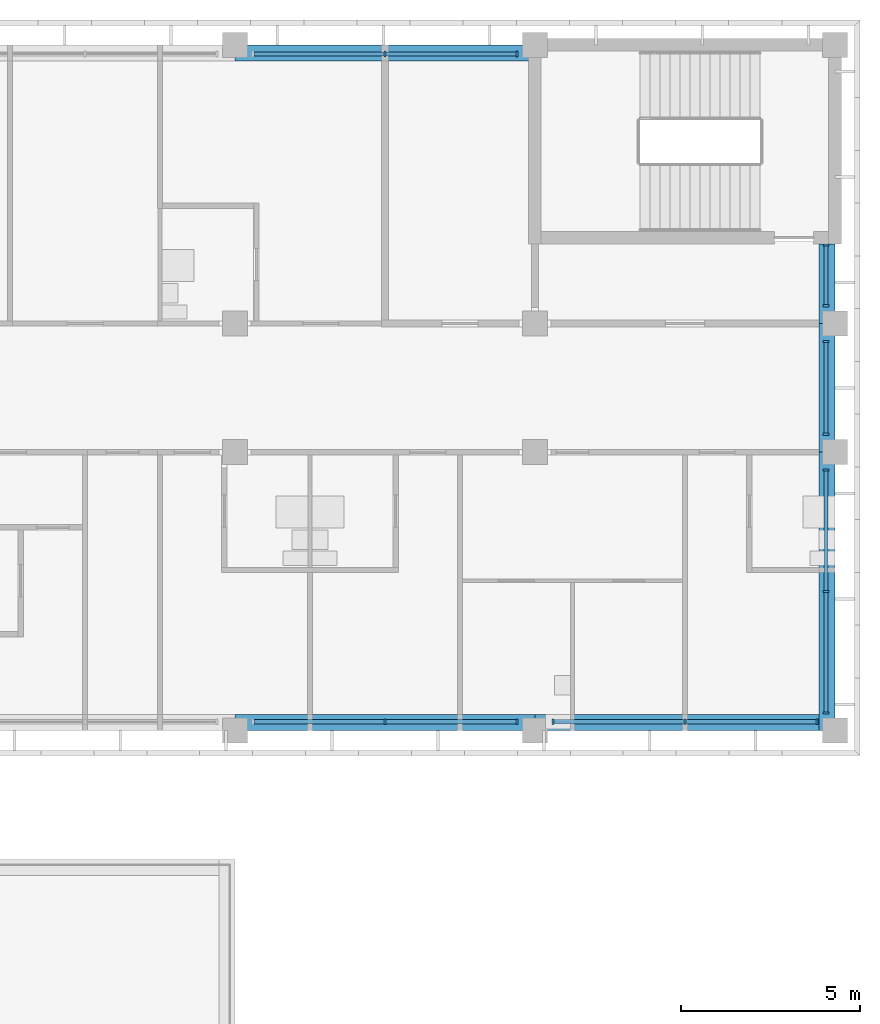
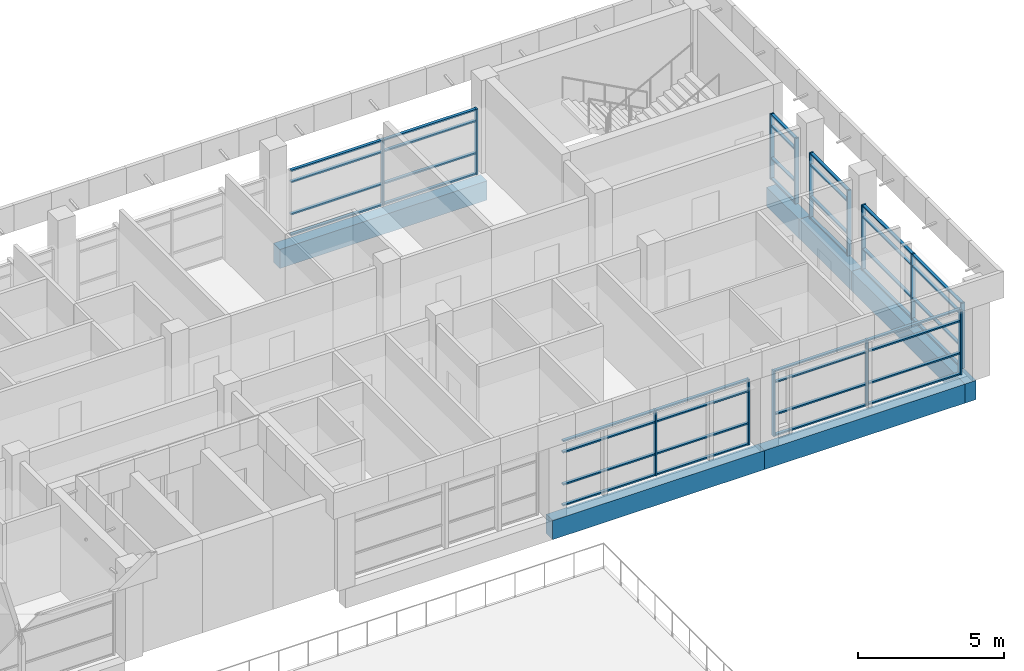
# One storey, part 13 of 46: 54 members, 6 beams, 6 elements without a shape of their own.
"""IFC4 building model written with IfcOpenShell, lengths in metres."""

from ifc_helpers import new_model, si_unit, direction, frame, origin, origin_2d, place, context, subcontext, project, spatial, rectangle, extrude, material, material_profile, profile_set, type_object, element, aggregate, save


model = new_model("IFC4")

# Units and contexts
model_context = context("Model", 3, precision=1e-05, world=origin(), true_north=direction((0.0, 1.0)))
body_context = subcontext(model_context, "Body", "Model", "MODEL_VIEW")
ifc_project = project(units=[si_unit("LENGTHUNIT", "METRE"), si_unit("AREAUNIT", "SQUARE_METRE"), si_unit("VOLUMEUNIT", "CUBIC_METRE"), si_unit("PLANEANGLEUNIT", "RADIAN"), si_unit("MASSUNIT", "GRAM", prefix="KILO")], contexts=[model_context])

# Site, building, storey
site_placement = place(None, origin())
site = spatial("IfcSite", under=ifc_project, at=site_placement, CompositionType="ELEMENT")
building_placement = place(site_placement, origin())
building = spatial("IfcBuilding", under=site, at=building_placement, Name="Bougainvillea Quay General Hospital", CompositionType="ELEMENT")
storey_placement = place(building_placement, frame((0.0, 0.0, 28.800048828125)))
storey = spatial("IfcBuildingStorey", under=building, at=storey_placement, Name="L06", CompositionType="ELEMENT", Elevation=28.800048828125)

# Curtain wall, members
ifc_material_1 = material(Name="Aluminium curtain wall system, powder-coated glazed", Category="aluminium")
curtain_wall_type_1 = type_object("IfcCurtainWallType", Name="Unitised curtain wall CW-3730", PredefinedType="NOTDEFINED", material=ifc_material_1)
curtain_wall_1_placement = place(storey_placement, origin())
curtain_wall_1 = element("IfcCurtainWall", 1, at=curtain_wall_1_placement, inside=storey, type_object=curtain_wall_type_1, Name="CW-4200 00", PredefinedType="NOTDEFINED")
ifc_material_2 = material(Name="Aluminium mullion, powder-coated charcoal", Category="aluminium")
ifc_material_profile_1 = material_profile(ifc_material_2, rectangle(XDim=0.159912109375, YDim=0.06005859375, at=origin_2d()))
ifc_profile_set_1 = profile_set([ifc_material_profile_1], Name="Aluminium mullion, powder-coated charcoal")
member_type_1 = type_object("IfcMemberType", Name="Curtain wall mullion 160x60", PredefinedType="MULLION", material=ifc_profile_set_1)
member_1_placement = place(storey_placement, frame((175.89990234375, 159.35009765625, 0.0), z_axis=(0.0, 0.0, 1.0), x_axis=(0.0, -1.0, 0.0)))
member_1 = element("IfcMember", 2, at=member_1_placement, type_object=member_type_1, Name="CW-4200 mullion 1", PredefinedType="MULLION", context=body_context, shape_type="SweptSolid", body=[
    extrude(rectangle(XDim=0.159912109375, YDim=0.06005859375, at=origin_2d()), origin(), (0.0, 0.0, 1.0), 2.75),
])
member_2_placement = place(storey_placement, frame((172.199951171875, 159.35009765625, 0.0), z_axis=(0.0, 0.0, 1.0), x_axis=(0.0, -1.0, 0.0)))
member_2 = element("IfcMember", 3, at=member_2_placement, type_object=member_type_1, Name="CW-4200 mullion 2", PredefinedType="MULLION", context=body_context, shape_type="SweptSolid", body=[
    extrude(rectangle(XDim=0.159912109375, YDim=0.06005859375, at=origin_2d()), origin(), (0.0, 0.0, 1.0), 2.75),
])

curtain_wall_2_placement = place(storey_placement, origin())
curtain_wall_2 = element("IfcCurtainWall", 4, at=curtain_wall_2_placement, inside=storey, type_object=curtain_wall_type_1, Name="CW-4200 01", PredefinedType="NOTDEFINED")
member_3_placement = place(storey_placement, frame((172.199951171875, 140.64990234375, 0.0), z_axis=(0.0, 0.0, 1.0), x_axis=(0.0, 1.0, 0.0)))
member_3 = element("IfcMember", 5, at=member_3_placement, type_object=member_type_1, Name="CW-4200 mullion 2", PredefinedType="MULLION", context=body_context, shape_type="SweptSolid", body=[
    extrude(rectangle(XDim=0.159912109375, YDim=0.06005859375, at=origin_2d()), origin(), (0.0, 0.0, 1.0), 2.75),
])
member_4_placement = place(storey_placement, frame((175.89990234375, 140.64990234375, 0.0), z_axis=(0.0, 0.0, 1.0), x_axis=(0.0, 1.0, 0.0)))
member_4 = element("IfcMember", 6, at=member_4_placement, type_object=member_type_1, Name="CW-4200 mullion 3", PredefinedType="MULLION", context=body_context, shape_type="SweptSolid", body=[
    extrude(rectangle(XDim=0.159912109375, YDim=0.06005859375, at=origin_2d()), origin(), (0.0, 0.0, 1.0), 2.75),
])

curtain_wall_3_placement = place(storey_placement, origin())
curtain_wall_3 = element("IfcCurtainWall", 7, at=curtain_wall_3_placement, inside=storey, type_object=curtain_wall_type_1, Name="CW-4200 02", PredefinedType="NOTDEFINED")
member_5_placement = place(storey_placement, frame((176.89990234375, 140.64990234375, 0.0), z_axis=(0.0, 0.0, 1.0), x_axis=(0.0, 1.0, 0.0)))
member_5 = element("IfcMember", 8, at=member_5_placement, type_object=member_type_1, Name="CW-4200 mullion 1", PredefinedType="MULLION", context=body_context, shape_type="SweptSolid", body=[
    extrude(rectangle(XDim=0.159912109375, YDim=0.06005859375, at=origin_2d()), origin(), (0.0, 0.0, 1.0), 2.75),
])
member_6_placement = place(storey_placement, frame((180.60009765625, 140.64990234375, 0.0), z_axis=(0.0, 0.0, 1.0), x_axis=(0.0, 1.0, 0.0)))
member_6 = element("IfcMember", 9, at=member_6_placement, type_object=member_type_1, Name="CW-4200 mullion 2", PredefinedType="MULLION", context=body_context, shape_type="SweptSolid", body=[
    extrude(rectangle(XDim=0.159912109375, YDim=0.06005859375, at=origin_2d()), origin(), (0.0, 0.0, 1.0), 2.75),
])
member_7_placement = place(storey_placement, frame((184.300048828125, 140.64990234375, 0.0), z_axis=(0.0, 0.0, 1.0), x_axis=(0.0, 1.0, 0.0)))
member_7 = element("IfcMember", 10, at=member_7_placement, type_object=member_type_1, Name="CW-4200 mullion 3", PredefinedType="MULLION", context=body_context, shape_type="SweptSolid", body=[
    extrude(rectangle(XDim=0.159912109375, YDim=0.06005859375, at=origin_2d()), origin(), (0.0, 0.0, 1.0), 2.75),
])

curtain_wall_type_2 = type_object("IfcCurtainWallType", Name="Unitised curtain wall CW-3430", PredefinedType="NOTDEFINED", material=ifc_material_1)
curtain_wall_4_placement = place(storey_placement, origin())
curtain_wall_4 = element("IfcCurtainWall", 11, at=curtain_wall_4_placement, inside=storey, type_object=curtain_wall_type_2, Name="CW-4200 00", PredefinedType="NOTDEFINED")
member_8_placement = place(storey_placement, frame((184.550048828125, 140.89990234375, 0.0), z_axis=(0.0, 0.0, 1.0), x_axis=(-1.0, 0.0, 0.0)))
member_8 = element("IfcMember", 12, at=member_8_placement, type_object=member_type_1, Name="CW-4200 mullion 1", PredefinedType="MULLION", context=body_context, shape_type="SweptSolid", body=[
    extrude(rectangle(XDim=0.159912109375, YDim=0.06005859375, at=origin_2d()), origin(), (0.0, 0.0, 1.0), 2.75),
])
member_9_placement = place(storey_placement, frame((184.550048828125, 144.300048828125, 0.0), z_axis=(0.0, 0.0, 1.0), x_axis=(-1.0, 0.0, 0.0)))
member_9 = element("IfcMember", 13, at=member_9_placement, type_object=member_type_1, Name="CW-4200 mullion 2", PredefinedType="MULLION", context=body_context, shape_type="SweptSolid", body=[
    extrude(rectangle(XDim=0.159912109375, YDim=0.06005859375, at=origin_2d()), origin(), (0.0, 0.0, 1.0), 2.75),
])
member_10_placement = place(storey_placement, frame((184.550048828125, 147.699951171875, 0.0), z_axis=(0.0, 0.0, 1.0), x_axis=(-1.0, 0.0, 0.0)))
member_10 = element("IfcMember", 14, at=member_10_placement, type_object=member_type_1, Name="CW-4200 mullion 3", PredefinedType="MULLION", context=body_context, shape_type="SweptSolid", body=[
    extrude(rectangle(XDim=0.159912109375, YDim=0.06005859375, at=origin_2d()), origin(), (0.0, 0.0, 1.0), 2.75),
])

curtain_wall_type_3 = type_object("IfcCurtainWallType", Name="Unitised curtain wall CW-2660", PredefinedType="NOTDEFINED", material=ifc_material_1)
curtain_wall_5_placement = place(storey_placement, origin())
curtain_wall_5 = element("IfcCurtainWall", 15, at=curtain_wall_5_placement, inside=storey, type_object=curtain_wall_type_3, Name="CW-4200 01", PredefinedType="NOTDEFINED")
member_11_placement = place(storey_placement, frame((184.550048828125, 148.699951171875, 0.0), z_axis=(0.0, 0.0, 1.0), x_axis=(-1.0, 0.0, 0.0)))
member_11 = element("IfcMember", 16, at=member_11_placement, type_object=member_type_1, Name="CW-4200 mullion 1", PredefinedType="MULLION", context=body_context, shape_type="SweptSolid", body=[
    extrude(rectangle(XDim=0.159912109375, YDim=0.06005859375, at=origin_2d()), origin(), (0.0, 0.0, 1.0), 2.75),
])
member_12_placement = place(storey_placement, frame((184.550048828125, 151.300048828125, 0.0), z_axis=(0.0, 0.0, 1.0), x_axis=(-1.0, 0.0, 0.0)))
member_12 = element("IfcMember", 17, at=member_12_placement, type_object=member_type_1, Name="CW-4200 mullion 2", PredefinedType="MULLION", context=body_context, shape_type="SweptSolid", body=[
    extrude(rectangle(XDim=0.159912109375, YDim=0.06005859375, at=origin_2d()), origin(), (0.0, 0.0, 1.0), 2.75),
])

curtain_wall_type_4 = type_object("IfcCurtainWallType", Name="Unitised curtain wall CW-1755", PredefinedType="NOTDEFINED", material=ifc_material_1)
curtain_wall_6_placement = place(storey_placement, origin())
curtain_wall_6 = element("IfcCurtainWall", 18, at=curtain_wall_6_placement, inside=storey, type_object=curtain_wall_type_4, Name="CW-4200 02", PredefinedType="NOTDEFINED")
member_13_placement = place(storey_placement, frame((184.550048828125, 152.300048828125, 0.0), z_axis=(0.0, 0.0, 1.0), x_axis=(-1.0, 0.0, 0.0)))
member_13 = element("IfcMember", 19, at=member_13_placement, type_object=member_type_1, Name="CW-4200 mullion 1", PredefinedType="MULLION", context=body_context, shape_type="SweptSolid", body=[
    extrude(rectangle(XDim=0.159912109375, YDim=0.06005859375, at=origin_2d()), origin(), (0.0, 0.0, 1.0), 2.75),
])
member_14_placement = place(storey_placement, frame((184.550048828125, 153.9951171875, 0.0), z_axis=(0.0, 0.0, 1.0), x_axis=(-1.0, 0.0, 0.0)))
member_14 = element("IfcMember", 20, at=member_14_placement, type_object=member_type_1, Name="CW-4200 mullion 2", PredefinedType="MULLION", context=body_context, shape_type="SweptSolid", body=[
    extrude(rectangle(XDim=0.159912109375, YDim=0.06005859375, at=origin_2d()), origin(), (0.0, 0.0, 1.0), 2.75),
])

# Member
ifc_material_3 = material(Name="Aluminium transom, powder-coated charcoal", Category="aluminium")
ifc_material_profile_2 = material_profile(ifc_material_3, rectangle(XDim=0.1201171875, YDim=0.06005859375, at=origin_2d()))
ifc_profile_set_2 = profile_set([ifc_material_profile_2], Name="Aluminium transom, powder-coated charcoal")
member_type_2 = type_object("IfcMemberType", Name="Curtain wall transom 120x60", PredefinedType="USERDEFINED", material=ifc_profile_set_2)
member_15_placement = place(storey_placement, frame((175.8701171875, 159.35009765625, 0.030029296875), z_axis=(-1.0, 0.0, 0.0), x_axis=(0.0, -1.0, 0.0)))
member_15 = element("IfcMember", 21, at=member_15_placement, type_object=member_type_2, Name="CW-4200 transom 1.1", ObjectType="TRANSOM", PredefinedType="USERDEFINED", context=body_context, shape_type="SweptSolid", body=[
    extrude(rectangle(XDim=0.1201171875, YDim=0.06005859375, at=origin_2d()), origin(), (0.0, 0.0, 1.0), 3.64013671875),
])

member_16_placement = place(storey_placement, frame((175.8701171875, 159.35009765625, 0.89990234375), z_axis=(-1.0, 0.0, 0.0), x_axis=(0.0, -1.0, 0.0)))
member_16 = element("IfcMember", 22, at=member_16_placement, type_object=member_type_2, Name="CW-4200 transom 1.2", ObjectType="TRANSOM", PredefinedType="USERDEFINED", context=body_context, shape_type="SweptSolid", body=[
    extrude(rectangle(XDim=0.1201171875, YDim=0.06005859375, at=origin_2d()), origin(), (0.0, 0.0, 1.0), 3.64013671875),
])

member_17_placement = place(storey_placement, frame((175.8701171875, 159.35009765625, 2.25), z_axis=(-1.0, 0.0, 0.0), x_axis=(0.0, -1.0, 0.0)))
member_17 = element("IfcMember", 23, at=member_17_placement, type_object=member_type_2, Name="CW-4200 transom 1.3", ObjectType="TRANSOM", PredefinedType="USERDEFINED", context=body_context, shape_type="SweptSolid", body=[
    extrude(rectangle(XDim=0.1201171875, YDim=0.06005859375, at=origin_2d()), origin(), (0.0, 0.0, 1.0), 3.64013671875),
])

member_18_placement = place(storey_placement, frame((175.8701171875, 159.35009765625, 2.719970703125), z_axis=(-1.0, 0.0, 0.0), x_axis=(0.0, -1.0, 0.0)))
member_18 = element("IfcMember", 24, at=member_18_placement, type_object=member_type_2, Name="CW-4200 transom 1.4", ObjectType="TRANSOM", PredefinedType="USERDEFINED", context=body_context, shape_type="SweptSolid", body=[
    extrude(rectangle(XDim=0.1201171875, YDim=0.06005859375, at=origin_2d()), origin(), (0.0, 0.0, 1.0), 3.64013671875),
])

member_19_placement = place(storey_placement, frame((172.169921875, 159.35009765625, 0.030029296875), z_axis=(-1.0, 0.0, 0.0), x_axis=(0.0, -1.0, 0.0)))
member_19 = element("IfcMember", 25, at=member_19_placement, type_object=member_type_2, Name="CW-4200 transom 2.1", ObjectType="TRANSOM", PredefinedType="USERDEFINED", context=body_context, shape_type="SweptSolid", body=[
    extrude(rectangle(XDim=0.1201171875, YDim=0.06005859375, at=origin_2d()), origin(), (0.0, 0.0, 1.0), 3.639892578125),
])

member_20_placement = place(storey_placement, frame((172.169921875, 159.35009765625, 0.89990234375), z_axis=(-1.0, 0.0, 0.0), x_axis=(0.0, -1.0, 0.0)))
member_20 = element("IfcMember", 26, at=member_20_placement, type_object=member_type_2, Name="CW-4200 transom 2.2", ObjectType="TRANSOM", PredefinedType="USERDEFINED", context=body_context, shape_type="SweptSolid", body=[
    extrude(rectangle(XDim=0.1201171875, YDim=0.06005859375, at=origin_2d()), origin(), (0.0, 0.0, 1.0), 3.639892578125),
])

member_21_placement = place(storey_placement, frame((172.169921875, 159.35009765625, 2.25), z_axis=(-1.0, 0.0, 0.0), x_axis=(0.0, -1.0, 0.0)))
member_21 = element("IfcMember", 27, at=member_21_placement, type_object=member_type_2, Name="CW-4200 transom 2.3", ObjectType="TRANSOM", PredefinedType="USERDEFINED", context=body_context, shape_type="SweptSolid", body=[
    extrude(rectangle(XDim=0.1201171875, YDim=0.06005859375, at=origin_2d()), origin(), (0.0, 0.0, 1.0), 3.639892578125),
])

member_22_placement = place(storey_placement, frame((172.169921875, 159.35009765625, 2.719970703125), z_axis=(-1.0, 0.0, 0.0), x_axis=(0.0, -1.0, 0.0)))
member_22 = element("IfcMember", 28, at=member_22_placement, type_object=member_type_2, Name="CW-4200 transom 2.4", ObjectType="TRANSOM", PredefinedType="USERDEFINED", context=body_context, shape_type="SweptSolid", body=[
    extrude(rectangle(XDim=0.1201171875, YDim=0.06005859375, at=origin_2d()), origin(), (0.0, 0.0, 1.0), 3.639892578125),
])

aggregate(curtain_wall_1, [member_1, member_2, member_15, member_16, member_17, member_18, member_19, member_20, member_21, member_22])

member_23_placement = place(storey_placement, frame((168.530029296875, 140.64990234375, 0.030029296875), z_axis=(1.0, 0.0, 0.0), x_axis=(0.0, 1.0, 0.0)))
member_23 = element("IfcMember", 29, at=member_23_placement, type_object=member_type_2, Name="CW-4200 transom 1.1", ObjectType="TRANSOM", PredefinedType="USERDEFINED", context=body_context, shape_type="SweptSolid", body=[
    extrude(rectangle(XDim=0.1201171875, YDim=0.06005859375, at=origin_2d()), origin(), (0.0, 0.0, 1.0), 3.639892578125),
])

member_24_placement = place(storey_placement, frame((168.530029296875, 140.64990234375, 0.89990234375), z_axis=(1.0, 0.0, 0.0), x_axis=(0.0, 1.0, 0.0)))
member_24 = element("IfcMember", 30, at=member_24_placement, type_object=member_type_2, Name="CW-4200 transom 1.2", ObjectType="TRANSOM", PredefinedType="USERDEFINED", context=body_context, shape_type="SweptSolid", body=[
    extrude(rectangle(XDim=0.1201171875, YDim=0.06005859375, at=origin_2d()), origin(), (0.0, 0.0, 1.0), 3.639892578125),
])

member_25_placement = place(storey_placement, frame((168.530029296875, 140.64990234375, 2.25), z_axis=(1.0, 0.0, 0.0), x_axis=(0.0, 1.0, 0.0)))
member_25 = element("IfcMember", 31, at=member_25_placement, type_object=member_type_2, Name="CW-4200 transom 1.3", ObjectType="TRANSOM", PredefinedType="USERDEFINED", context=body_context, shape_type="SweptSolid", body=[
    extrude(rectangle(XDim=0.1201171875, YDim=0.06005859375, at=origin_2d()), origin(), (0.0, 0.0, 1.0), 3.639892578125),
])

member_26_placement = place(storey_placement, frame((168.530029296875, 140.64990234375, 2.719970703125), z_axis=(1.0, 0.0, 0.0), x_axis=(0.0, 1.0, 0.0)))
member_26 = element("IfcMember", 32, at=member_26_placement, type_object=member_type_2, Name="CW-4200 transom 1.4", ObjectType="TRANSOM", PredefinedType="USERDEFINED", context=body_context, shape_type="SweptSolid", body=[
    extrude(rectangle(XDim=0.1201171875, YDim=0.06005859375, at=origin_2d()), origin(), (0.0, 0.0, 1.0), 3.639892578125),
])

member_27_placement = place(storey_placement, frame((172.22998046875, 140.64990234375, 0.030029296875), z_axis=(1.0, 0.0, 0.0), x_axis=(0.0, 1.0, 0.0)))
member_27 = element("IfcMember", 33, at=member_27_placement, type_object=member_type_2, Name="CW-4200 transom 2.1", ObjectType="TRANSOM", PredefinedType="USERDEFINED", context=body_context, shape_type="SweptSolid", body=[
    extrude(rectangle(XDim=0.1201171875, YDim=0.06005859375, at=origin_2d()), origin(), (0.0, 0.0, 1.0), 3.64013671875),
])

member_28_placement = place(storey_placement, frame((172.22998046875, 140.64990234375, 0.89990234375), z_axis=(1.0, 0.0, 0.0), x_axis=(0.0, 1.0, 0.0)))
member_28 = element("IfcMember", 34, at=member_28_placement, type_object=member_type_2, Name="CW-4200 transom 2.2", ObjectType="TRANSOM", PredefinedType="USERDEFINED", context=body_context, shape_type="SweptSolid", body=[
    extrude(rectangle(XDim=0.1201171875, YDim=0.06005859375, at=origin_2d()), origin(), (0.0, 0.0, 1.0), 3.64013671875),
])

member_29_placement = place(storey_placement, frame((172.22998046875, 140.64990234375, 2.25), z_axis=(1.0, 0.0, 0.0), x_axis=(0.0, 1.0, 0.0)))
member_29 = element("IfcMember", 35, at=member_29_placement, type_object=member_type_2, Name="CW-4200 transom 2.3", ObjectType="TRANSOM", PredefinedType="USERDEFINED", context=body_context, shape_type="SweptSolid", body=[
    extrude(rectangle(XDim=0.1201171875, YDim=0.06005859375, at=origin_2d()), origin(), (0.0, 0.0, 1.0), 3.64013671875),
])

member_30_placement = place(storey_placement, frame((172.22998046875, 140.64990234375, 2.719970703125), z_axis=(1.0, 0.0, 0.0), x_axis=(0.0, 1.0, 0.0)))
member_30 = element("IfcMember", 36, at=member_30_placement, type_object=member_type_2, Name="CW-4200 transom 2.4", ObjectType="TRANSOM", PredefinedType="USERDEFINED", context=body_context, shape_type="SweptSolid", body=[
    extrude(rectangle(XDim=0.1201171875, YDim=0.06005859375, at=origin_2d()), origin(), (0.0, 0.0, 1.0), 3.64013671875),
])

aggregate(curtain_wall_2, [member_3, member_4, member_23, member_24, member_25, member_26, member_27, member_28, member_29, member_30])

member_31_placement = place(storey_placement, frame((176.929931640625, 140.64990234375, 0.030029296875), z_axis=(1.0, 0.0, 0.0), x_axis=(0.0, 1.0, 0.0)))
member_31 = element("IfcMember", 37, at=member_31_placement, type_object=member_type_2, Name="CW-4200 transom 1.1", ObjectType="TRANSOM", PredefinedType="USERDEFINED", context=body_context, shape_type="SweptSolid", body=[
    extrude(rectangle(XDim=0.1201171875, YDim=0.06005859375, at=origin_2d()), origin(), (0.0, 0.0, 1.0), 3.64013671875),
])

member_32_placement = place(storey_placement, frame((176.929931640625, 140.64990234375, 0.89990234375), z_axis=(1.0, 0.0, 0.0), x_axis=(0.0, 1.0, 0.0)))
member_32 = element("IfcMember", 38, at=member_32_placement, type_object=member_type_2, Name="CW-4200 transom 1.2", ObjectType="TRANSOM", PredefinedType="USERDEFINED", context=body_context, shape_type="SweptSolid", body=[
    extrude(rectangle(XDim=0.1201171875, YDim=0.06005859375, at=origin_2d()), origin(), (0.0, 0.0, 1.0), 3.64013671875),
])

member_33_placement = place(storey_placement, frame((176.929931640625, 140.64990234375, 2.25), z_axis=(1.0, 0.0, 0.0), x_axis=(0.0, 1.0, 0.0)))
member_33 = element("IfcMember", 39, at=member_33_placement, type_object=member_type_2, Name="CW-4200 transom 1.3", ObjectType="TRANSOM", PredefinedType="USERDEFINED", context=body_context, shape_type="SweptSolid", body=[
    extrude(rectangle(XDim=0.1201171875, YDim=0.06005859375, at=origin_2d()), origin(), (0.0, 0.0, 1.0), 3.64013671875),
])

member_34_placement = place(storey_placement, frame((176.929931640625, 140.64990234375, 2.719970703125), z_axis=(1.0, 0.0, 0.0), x_axis=(0.0, 1.0, 0.0)))
member_34 = element("IfcMember", 40, at=member_34_placement, type_object=member_type_2, Name="CW-4200 transom 1.4", ObjectType="TRANSOM", PredefinedType="USERDEFINED", context=body_context, shape_type="SweptSolid", body=[
    extrude(rectangle(XDim=0.1201171875, YDim=0.06005859375, at=origin_2d()), origin(), (0.0, 0.0, 1.0), 3.64013671875),
])

member_35_placement = place(storey_placement, frame((180.6298828125, 140.64990234375, 0.030029296875), z_axis=(1.0, 0.0, 0.0), x_axis=(0.0, 1.0, 0.0)))
member_35 = element("IfcMember", 41, at=member_35_placement, type_object=member_type_2, Name="CW-4200 transom 2.1", ObjectType="TRANSOM", PredefinedType="USERDEFINED", context=body_context, shape_type="SweptSolid", body=[
    extrude(rectangle(XDim=0.1201171875, YDim=0.06005859375, at=origin_2d()), origin(), (0.0, 0.0, 1.0), 3.64013671875),
])

member_36_placement = place(storey_placement, frame((180.6298828125, 140.64990234375, 0.89990234375), z_axis=(1.0, 0.0, 0.0), x_axis=(0.0, 1.0, 0.0)))
member_36 = element("IfcMember", 42, at=member_36_placement, type_object=member_type_2, Name="CW-4200 transom 2.2", ObjectType="TRANSOM", PredefinedType="USERDEFINED", context=body_context, shape_type="SweptSolid", body=[
    extrude(rectangle(XDim=0.1201171875, YDim=0.06005859375, at=origin_2d()), origin(), (0.0, 0.0, 1.0), 3.64013671875),
])

member_37_placement = place(storey_placement, frame((180.6298828125, 140.64990234375, 2.25), z_axis=(1.0, 0.0, 0.0), x_axis=(0.0, 1.0, 0.0)))
member_37 = element("IfcMember", 43, at=member_37_placement, type_object=member_type_2, Name="CW-4200 transom 2.3", ObjectType="TRANSOM", PredefinedType="USERDEFINED", context=body_context, shape_type="SweptSolid", body=[
    extrude(rectangle(XDim=0.1201171875, YDim=0.06005859375, at=origin_2d()), origin(), (0.0, 0.0, 1.0), 3.64013671875),
])

member_38_placement = place(storey_placement, frame((180.6298828125, 140.64990234375, 2.719970703125), z_axis=(1.0, 0.0, 0.0), x_axis=(0.0, 1.0, 0.0)))
member_38 = element("IfcMember", 44, at=member_38_placement, type_object=member_type_2, Name="CW-4200 transom 2.4", ObjectType="TRANSOM", PredefinedType="USERDEFINED", context=body_context, shape_type="SweptSolid", body=[
    extrude(rectangle(XDim=0.1201171875, YDim=0.06005859375, at=origin_2d()), origin(), (0.0, 0.0, 1.0), 3.64013671875),
])

aggregate(curtain_wall_3, [member_5, member_6, member_7, member_31, member_32, member_33, member_34, member_35, member_36, member_37, member_38])

member_39_placement = place(storey_placement, frame((184.550048828125, 140.929931640625, 0.030029296875), z_axis=(0.0, 1.0, 0.0), x_axis=(-1.0, 0.0, 0.0)))
member_39 = element("IfcMember", 45, at=member_39_placement, type_object=member_type_2, Name="CW-4200 transom 1.1", ObjectType="TRANSOM", PredefinedType="USERDEFINED", context=body_context, shape_type="SweptSolid", body=[
    extrude(rectangle(XDim=0.1201171875, YDim=0.06005859375, at=origin_2d()), origin(), (0.0, 0.0, 1.0), 3.340087890625),
])

member_40_placement = place(storey_placement, frame((184.550048828125, 140.929931640625, 0.89990234375), z_axis=(0.0, 1.0, 0.0), x_axis=(-1.0, 0.0, 0.0)))
member_40 = element("IfcMember", 46, at=member_40_placement, type_object=member_type_2, Name="CW-4200 transom 1.2", ObjectType="TRANSOM", PredefinedType="USERDEFINED", context=body_context, shape_type="SweptSolid", body=[
    extrude(rectangle(XDim=0.1201171875, YDim=0.06005859375, at=origin_2d()), origin(), (0.0, 0.0, 1.0), 3.340087890625),
])

member_41_placement = place(storey_placement, frame((184.550048828125, 140.929931640625, 2.25), z_axis=(0.0, 1.0, 0.0), x_axis=(-1.0, 0.0, 0.0)))
member_41 = element("IfcMember", 47, at=member_41_placement, type_object=member_type_2, Name="CW-4200 transom 1.3", ObjectType="TRANSOM", PredefinedType="USERDEFINED", context=body_context, shape_type="SweptSolid", body=[
    extrude(rectangle(XDim=0.1201171875, YDim=0.06005859375, at=origin_2d()), origin(), (0.0, 0.0, 1.0), 3.340087890625),
])

member_42_placement = place(storey_placement, frame((184.550048828125, 140.929931640625, 2.719970703125), z_axis=(0.0, 1.0, 0.0), x_axis=(-1.0, 0.0, 0.0)))
member_42 = element("IfcMember", 48, at=member_42_placement, type_object=member_type_2, Name="CW-4200 transom 1.4", ObjectType="TRANSOM", PredefinedType="USERDEFINED", context=body_context, shape_type="SweptSolid", body=[
    extrude(rectangle(XDim=0.1201171875, YDim=0.06005859375, at=origin_2d()), origin(), (0.0, 0.0, 1.0), 3.340087890625),
])

member_43_placement = place(storey_placement, frame((184.550048828125, 144.330078125, 0.030029296875), z_axis=(0.0, 1.0, 0.0), x_axis=(-1.0, 0.0, 0.0)))
member_43 = element("IfcMember", 49, at=member_43_placement, type_object=member_type_2, Name="CW-4200 transom 2.1", ObjectType="TRANSOM", PredefinedType="USERDEFINED", context=body_context, shape_type="SweptSolid", body=[
    extrude(rectangle(XDim=0.1201171875, YDim=0.06005859375, at=origin_2d()), origin(), (0.0, 0.0, 1.0), 3.33984375),
])

member_44_placement = place(storey_placement, frame((184.550048828125, 144.330078125, 0.89990234375), z_axis=(0.0, 1.0, 0.0), x_axis=(-1.0, 0.0, 0.0)))
member_44 = element("IfcMember", 50, at=member_44_placement, type_object=member_type_2, Name="CW-4200 transom 2.2", ObjectType="TRANSOM", PredefinedType="USERDEFINED", context=body_context, shape_type="SweptSolid", body=[
    extrude(rectangle(XDim=0.1201171875, YDim=0.06005859375, at=origin_2d()), origin(), (0.0, 0.0, 1.0), 3.33984375),
])

member_45_placement = place(storey_placement, frame((184.550048828125, 144.330078125, 2.25), z_axis=(0.0, 1.0, 0.0), x_axis=(-1.0, 0.0, 0.0)))
member_45 = element("IfcMember", 51, at=member_45_placement, type_object=member_type_2, Name="CW-4200 transom 2.3", ObjectType="TRANSOM", PredefinedType="USERDEFINED", context=body_context, shape_type="SweptSolid", body=[
    extrude(rectangle(XDim=0.1201171875, YDim=0.06005859375, at=origin_2d()), origin(), (0.0, 0.0, 1.0), 3.33984375),
])

member_46_placement = place(storey_placement, frame((184.550048828125, 144.330078125, 2.719970703125), z_axis=(0.0, 1.0, 0.0), x_axis=(-1.0, 0.0, 0.0)))
member_46 = element("IfcMember", 52, at=member_46_placement, type_object=member_type_2, Name="CW-4200 transom 2.4", ObjectType="TRANSOM", PredefinedType="USERDEFINED", context=body_context, shape_type="SweptSolid", body=[
    extrude(rectangle(XDim=0.1201171875, YDim=0.06005859375, at=origin_2d()), origin(), (0.0, 0.0, 1.0), 3.33984375),
])

aggregate(curtain_wall_4, [member_8, member_9, member_10, member_39, member_40, member_41, member_42, member_43, member_44, member_45, member_46])

member_47_placement = place(storey_placement, frame((184.550048828125, 148.72998046875, 0.030029296875), z_axis=(0.0, 1.0, 0.0), x_axis=(-1.0, 0.0, 0.0)))
member_47 = element("IfcMember", 53, at=member_47_placement, type_object=member_type_2, Name="CW-4200 transom 1.1", ObjectType="TRANSOM", PredefinedType="USERDEFINED", context=body_context, shape_type="SweptSolid", body=[
    extrude(rectangle(XDim=0.1201171875, YDim=0.06005859375, at=origin_2d()), origin(), (0.0, 0.0, 1.0), 2.5400390625),
])

member_48_placement = place(storey_placement, frame((184.550048828125, 148.72998046875, 0.89990234375), z_axis=(0.0, 1.0, 0.0), x_axis=(-1.0, 0.0, 0.0)))
member_48 = element("IfcMember", 54, at=member_48_placement, type_object=member_type_2, Name="CW-4200 transom 1.2", ObjectType="TRANSOM", PredefinedType="USERDEFINED", context=body_context, shape_type="SweptSolid", body=[
    extrude(rectangle(XDim=0.1201171875, YDim=0.06005859375, at=origin_2d()), origin(), (0.0, 0.0, 1.0), 2.5400390625),
])

member_49_placement = place(storey_placement, frame((184.550048828125, 148.72998046875, 2.25), z_axis=(0.0, 1.0, 0.0), x_axis=(-1.0, 0.0, 0.0)))
member_49 = element("IfcMember", 55, at=member_49_placement, type_object=member_type_2, Name="CW-4200 transom 1.3", ObjectType="TRANSOM", PredefinedType="USERDEFINED", context=body_context, shape_type="SweptSolid", body=[
    extrude(rectangle(XDim=0.1201171875, YDim=0.06005859375, at=origin_2d()), origin(), (0.0, 0.0, 1.0), 2.5400390625),
])

member_50_placement = place(storey_placement, frame((184.550048828125, 148.72998046875, 2.719970703125), z_axis=(0.0, 1.0, 0.0), x_axis=(-1.0, 0.0, 0.0)))
member_50 = element("IfcMember", 56, at=member_50_placement, type_object=member_type_2, Name="CW-4200 transom 1.4", ObjectType="TRANSOM", PredefinedType="USERDEFINED", context=body_context, shape_type="SweptSolid", body=[
    extrude(rectangle(XDim=0.1201171875, YDim=0.06005859375, at=origin_2d()), origin(), (0.0, 0.0, 1.0), 2.5400390625),
])

aggregate(curtain_wall_5, [member_11, member_12, member_47, member_48, member_49, member_50])

member_51_placement = place(storey_placement, frame((184.550048828125, 152.330078125, 0.030029296875), z_axis=(0.0, 1.0, 0.0), x_axis=(-1.0, 0.0, 0.0)))
member_51 = element("IfcMember", 57, at=member_51_placement, type_object=member_type_2, Name="CW-4200 transom 1.1", ObjectType="TRANSOM", PredefinedType="USERDEFINED", context=body_context, shape_type="SweptSolid", body=[
    extrude(rectangle(XDim=0.1201171875, YDim=0.06005859375, at=origin_2d()), origin(), (0.0, 0.0, 1.0), 1.635009765625),
])

member_52_placement = place(storey_placement, frame((184.550048828125, 152.330078125, 0.89990234375), z_axis=(0.0, 1.0, 0.0), x_axis=(-1.0, 0.0, 0.0)))
member_52 = element("IfcMember", 58, at=member_52_placement, type_object=member_type_2, Name="CW-4200 transom 1.2", ObjectType="TRANSOM", PredefinedType="USERDEFINED", context=body_context, shape_type="SweptSolid", body=[
    extrude(rectangle(XDim=0.1201171875, YDim=0.06005859375, at=origin_2d()), origin(), (0.0, 0.0, 1.0), 1.635009765625),
])

member_53_placement = place(storey_placement, frame((184.550048828125, 152.330078125, 2.25), z_axis=(0.0, 1.0, 0.0), x_axis=(-1.0, 0.0, 0.0)))
member_53 = element("IfcMember", 59, at=member_53_placement, type_object=member_type_2, Name="CW-4200 transom 1.3", ObjectType="TRANSOM", PredefinedType="USERDEFINED", context=body_context, shape_type="SweptSolid", body=[
    extrude(rectangle(XDim=0.1201171875, YDim=0.06005859375, at=origin_2d()), origin(), (0.0, 0.0, 1.0), 1.635009765625),
])

member_54_placement = place(storey_placement, frame((184.550048828125, 152.330078125, 2.719970703125), z_axis=(0.0, 1.0, 0.0), x_axis=(-1.0, 0.0, 0.0)))
member_54 = element("IfcMember", 60, at=member_54_placement, type_object=member_type_2, Name="CW-4200 transom 1.4", ObjectType="TRANSOM", PredefinedType="USERDEFINED", context=body_context, shape_type="SweptSolid", body=[
    extrude(rectangle(XDim=0.1201171875, YDim=0.06005859375, at=origin_2d()), origin(), (0.0, 0.0, 1.0), 1.635009765625),
])

aggregate(curtain_wall_6, [member_13, member_14, member_51, member_52, member_53, member_54])

# Beams
ifc_material_4 = material(Name="Concrete C40", Category="concrete")
ifc_material_profile_3 = material_profile(ifc_material_4, rectangle(XDim=0.449951171875, YDim=0.800048828125, at=origin_2d()))
ifc_profile_set_3 = profile_set([ifc_material_profile_3], Name="Concrete C40")
beam_type = type_object("IfcBeamType", Name="RC BEAM 450x800 C40", PredefinedType="BEAM", material=ifc_profile_set_3)
beam_1_placement = place(storey_placement, frame((176.22509765625, 159.375, -0.699951171875), z_axis=(-1.0, 0.0, 0.0), x_axis=(0.0, -1.0, 0.0)))
element("IfcBeam", 61, at=beam_1_placement, inside=storey, type_object=beam_type, Name="Edge beam L06", PredefinedType="BEAM", context=body_context, shape_type="SweptSolid", body=[
    extrude(rectangle(XDim=0.449951171875, YDim=0.800048828125, at=origin_2d()), origin(), (0.0, 0.0, 1.0), 8.22509765625),
])
beam_2_placement = place(storey_placement, frame((168.0, 140.625, -0.699951171875), z_axis=(1.0, 0.0, 0.0), x_axis=(0.0, 1.0, 0.0)))
element("IfcBeam", 62, at=beam_2_placement, inside=storey, type_object=beam_type, Name="Edge beam L06", PredefinedType="BEAM", context=body_context, shape_type="SweptSolid", body=[
    extrude(rectangle(XDim=0.449951171875, YDim=0.800048828125, at=origin_2d()), origin(), (0.0, 0.0, 1.0), 8.39990234375),
])
beam_3_placement = place(storey_placement, frame((176.39990234375, 140.625, -0.699951171875), z_axis=(1.0, 0.0, 0.0), x_axis=(0.0, 1.0, 0.0)))
element("IfcBeam", 63, at=beam_3_placement, inside=storey, type_object=beam_type, Name="Edge beam L06", PredefinedType="BEAM", context=body_context, shape_type="SweptSolid", body=[
    extrude(rectangle(XDim=0.449951171875, YDim=0.800048828125, at=origin_2d()), origin(), (0.0, 0.0, 1.0), 8.400146484375),
])
beam_4_placement = place(storey_placement, frame((184.574951171875, 140.39990234375, -0.699951171875), z_axis=(0.0, 1.0, 0.0), x_axis=(-1.0, 0.0, 0.0)))
element("IfcBeam", 64, at=beam_4_placement, inside=storey, type_object=beam_type, Name="Edge beam L06", PredefinedType="BEAM", context=body_context, shape_type="SweptSolid", body=[
    extrude(rectangle(XDim=0.449951171875, YDim=0.800048828125, at=origin_2d()), origin(), (0.0, 0.0, 1.0), 7.800048828125),
])
beam_5_placement = place(storey_placement, frame((184.574951171875, 148.199951171875, -0.699951171875), z_axis=(0.0, 1.0, 0.0), x_axis=(-1.0, 0.0, 0.0)))
element("IfcBeam", 65, at=beam_5_placement, inside=storey, type_object=beam_type, Name="Edge beam L06", PredefinedType="BEAM", context=body_context, shape_type="SweptSolid", body=[
    extrude(rectangle(XDim=0.449951171875, YDim=0.800048828125, at=origin_2d()), origin(), (0.0, 0.0, 1.0), 3.60009765625),
])
beam_6_placement = place(storey_placement, frame((184.574951171875, 151.800048828125, -0.699951171875), z_axis=(0.0, 1.0, 0.0), x_axis=(-1.0, 0.0, 0.0)))
element("IfcBeam", 66, at=beam_6_placement, inside=storey, type_object=beam_type, Name="Edge beam L06", PredefinedType="BEAM", context=body_context, shape_type="SweptSolid", body=[
    extrude(rectangle(XDim=0.449951171875, YDim=0.800048828125, at=origin_2d()), origin(), (0.0, 0.0, 1.0), 2.224853515625),
])

save(model, "model.ifc")
